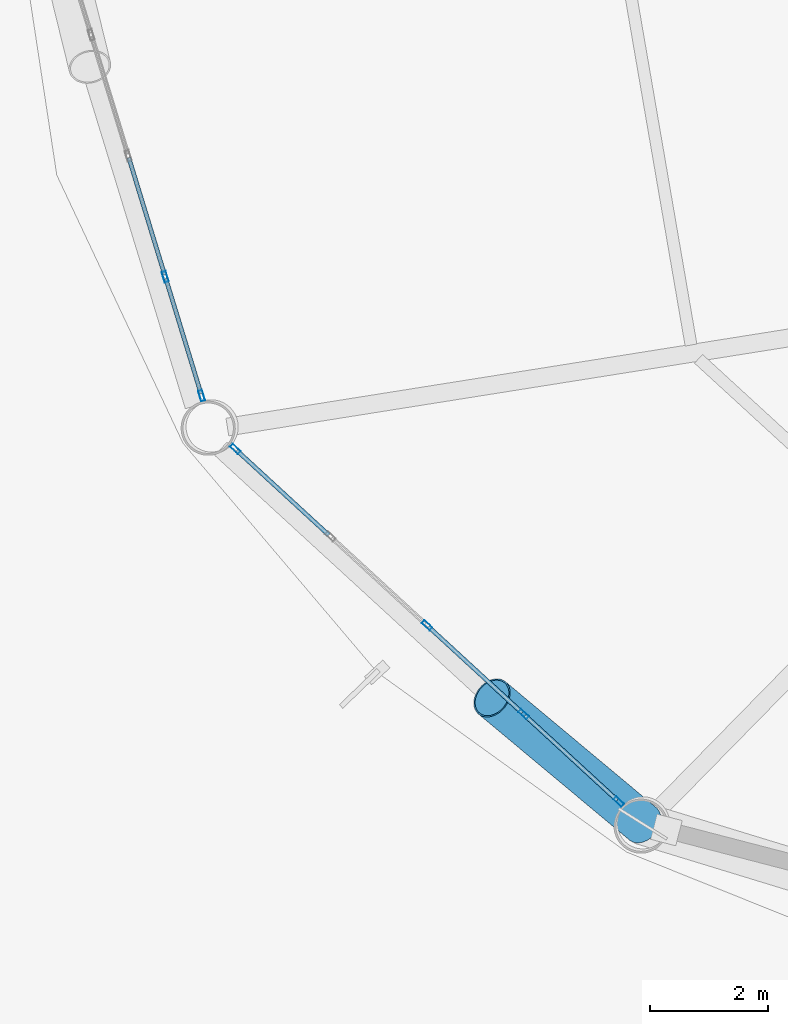
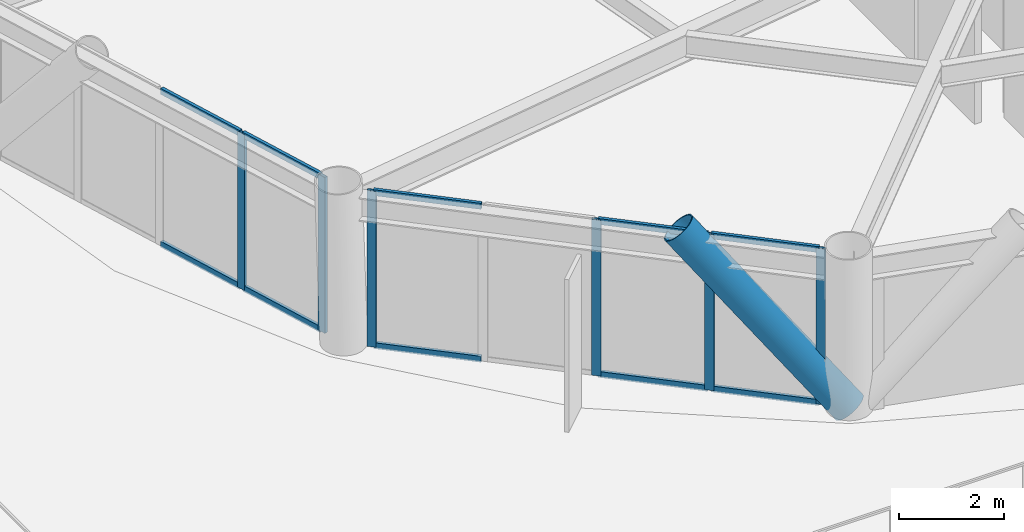
# One storey, part 2 of 24: 17 members, 2 elements without a shape of their own.
"""IFC4 building model written with IfcOpenShell, lengths in metres."""

from ifc_helpers import new_model, si_unit, direction, frame, origin, origin_2d, place, context, subcontext, project, spatial, hollow_rectangle, hollow_circle, extrude, material, layer, layer_set, material_profile, profile_set, type_object, element, aggregate, save


model = new_model("IFC4")

# Units and contexts
model_context = context("Model", 3, precision=1e-05, world=origin(), true_north=direction((0.0, 1.0)))
body_context = subcontext(model_context, "Body", "Model", "MODEL_VIEW")
ifc_project = project(units=[si_unit("LENGTHUNIT", "METRE"), si_unit("AREAUNIT", "SQUARE_METRE"), si_unit("VOLUMEUNIT", "CUBIC_METRE"), si_unit("PLANEANGLEUNIT", "RADIAN"), si_unit("MASSUNIT", "GRAM", prefix="KILO")], contexts=[model_context])

# Site, building, storey
site_placement = place(None, origin())
site = spatial("IfcSite", under=ifc_project, at=site_placement, CompositionType="ELEMENT")
building_placement = place(site_placement, origin())
building = spatial("IfcBuilding", under=site, at=building_placement, Name="Varnakorn Sky Granary", CompositionType="ELEMENT")
storey_placement = place(building_placement, frame((0.0, 0.0, 27.60009765625)))
storey = spatial("IfcBuildingStorey", under=building, at=storey_placement, Name="L06", CompositionType="ELEMENT", Elevation=27.60009765625)

# Curtain wall, members
ifc_material_1 = material(Name="Anodised Bronze Aluminium Alloy 6063-T6", Category="aluminium")
ifc_layer = layer(ifc_material_1, 0.18994140625, Name="Anodised Bronze Aluminium Alloy 6063-T6")
ifc_layer_set = layer_set([ifc_layer], Name="Anodised Bronze Aluminium Alloy 6063-T6")
curtain_wall_type = type_object("IfcCurtainWallType", Name="CW-FRM-1", PredefinedType="USERDEFINED", material=ifc_layer_set)
curtain_wall_1_placement = place(storey_placement, origin())
curtain_wall_1 = element("IfcCurtainWall", 1, at=curtain_wall_1_placement, inside=storey, type_object=curtain_wall_type, Name="Unitised Curtain Wall CW3 CW-L06-B07", ObjectType="CURTAIN WALL", PredefinedType="USERDEFINED")
ifc_material_profile_1 = material_profile(ifc_material_1, hollow_rectangle(XDim=0.070068359375, YDim=0.18505859375, WallThickness=0.00390625, at=origin_2d()), Name="ALU MULL 70x185")
ifc_profile_set_1 = profile_set([ifc_material_profile_1], Name="Anodised Bronze Aluminium Alloy 6063-T6")
member_type_1 = type_object("IfcMemberType", Name="CW-FRM-1-MULL", PredefinedType="MULLION", material=ifc_profile_set_1)
member_1_placement = place(storey_placement, frame((-18.908447265625, -8.629638671875, 0.0), z_axis=(0.0, 0.0, 1.0), x_axis=(-0.956203967275, -0.292701166664, 0.0)))
member_1 = element("IfcMember", 2, at=member_1_placement, type_object=member_type_1, Name="CW3 mullion 1", PredefinedType="MULLION", context=body_context, shape_type="SweptSolid", body=[
    extrude(hollow_rectangle(XDim=0.070068359375, YDim=0.18505859375, WallThickness=0.00390625, at=origin_2d()), origin(), (0.0, 0.0, 1.0), 3.639892578125),
])
member_2_placement = place(storey_placement, frame((-19.5234375, -6.620849609375, 0.0), z_axis=(0.0, 0.0, 1.0), x_axis=(-0.956203967275, -0.292701166664, 0.0)))
member_2 = element("IfcMember", 3, at=member_2_placement, type_object=member_type_1, Name="CW3 mullion 2", PredefinedType="MULLION", context=body_context, shape_type="SweptSolid", body=[
    extrude(hollow_rectangle(XDim=0.070068359375, YDim=0.18505859375, WallThickness=0.00390625, at=origin_2d()), origin(), (0.0, 0.0, 1.0), 3.639892578125),
])

curtain_wall_2_placement = place(storey_placement, origin())
curtain_wall_2 = element("IfcCurtainWall", 4, at=curtain_wall_2_placement, inside=storey, type_object=curtain_wall_type, Name="Unitised Curtain Wall CW3 CW-L06-B08", ObjectType="CURTAIN WALL", PredefinedType="USERDEFINED")
member_3_placement = place(storey_placement, frame((-11.86376953125, -15.487548828125, 0.0), z_axis=(0.0, 0.0, 1.0), x_axis=(-0.676914362354, -0.7360617814, 0.0)))
member_3 = element("IfcMember", 5, at=member_3_placement, type_object=member_type_1, Name="CW3 mullion 1", PredefinedType="MULLION", context=body_context, shape_type="SweptSolid", body=[
    extrude(hollow_rectangle(XDim=0.070068359375, YDim=0.18505859375, WallThickness=0.00390625, at=origin_2d()), origin(), (0.0, 0.0, 1.0), 3.639892578125),
])
member_4_placement = place(storey_placement, frame((-13.47021484375, -14.01025390625, 0.0), z_axis=(0.0, 0.0, 1.0), x_axis=(-0.676914362354, -0.7360617814, 0.0)))
member_4 = element("IfcMember", 6, at=member_4_placement, type_object=member_type_1, Name="CW3 mullion 2", PredefinedType="MULLION", context=body_context, shape_type="SweptSolid", body=[
    extrude(hollow_rectangle(XDim=0.070068359375, YDim=0.18505859375, WallThickness=0.00390625, at=origin_2d()), origin(), (0.0, 0.0, 1.0), 3.639892578125),
])
member_5_placement = place(storey_placement, frame((-15.102294921875, -12.509521484375, 0.0), z_axis=(0.0, 0.0, 1.0), x_axis=(-0.676914362354, -0.7360617814, 0.0)))
member_5 = element("IfcMember", 7, at=member_5_placement, type_object=member_type_1, Name="CW3 mullion 3", PredefinedType="MULLION", context=body_context, shape_type="SweptSolid", body=[
    extrude(hollow_rectangle(XDim=0.070068359375, YDim=0.18505859375, WallThickness=0.00390625, at=origin_2d()), origin(), (0.0, 0.0, 1.0), 3.639892578125),
])
member_6_placement = place(storey_placement, frame((-18.340576171875, -9.53125, 0.0), z_axis=(0.0, 0.0, 1.0), x_axis=(-0.676914362354, -0.7360617814, 0.0)))
member_6 = element("IfcMember", 8, at=member_6_placement, type_object=member_type_1, Name="CW3 mullion 5", PredefinedType="MULLION", context=body_context, shape_type="SweptSolid", body=[
    extrude(hollow_rectangle(XDim=0.070068359375, YDim=0.18505859375, WallThickness=0.00390625, at=origin_2d()), origin(), (0.0, 0.0, 1.0), 3.639892578125),
])

# Member
ifc_material_profile_2 = material_profile(ifc_material_1, hollow_rectangle(XDim=0.070068359375, YDim=0.139892578125, WallThickness=0.00341796875, at=origin_2d()), Name="ALU TRAN 70x140")
ifc_profile_set_2 = profile_set([ifc_material_profile_2], Name="Anodised Bronze Aluminium Alloy 6063-T6")
member_type_2 = type_object("IfcMemberType", Name="CW-FRM-1-TRAN", PredefinedType="USERDEFINED", material=ifc_profile_set_2)
member_7_placement = place(storey_placement, frame((-18.918701171875, -8.59619140625, 0.034912109375), z_axis=(-0.292725487943, 0.956196522012, 0.0), x_axis=(-0.956196522012, -0.292725487943, 0.0)))
member_7 = element("IfcMember", 9, at=member_7_placement, type_object=member_type_2, Name="CW3 transom 1.1", ObjectType="TRANSOM", PredefinedType="USERDEFINED", context=body_context, shape_type="SweptSolid", body=[
    extrude(hollow_rectangle(XDim=0.070068359375, YDim=0.139892578125, WallThickness=0.00341796875, at=origin_2d()), origin(), (0.0, 0.0, 1.0), 2.03076171875),
])

member_8_placement = place(storey_placement, frame((-18.918701171875, -8.59619140625, 3.60498046875), z_axis=(-0.292725487943, 0.956196522012, 0.0), x_axis=(-0.956196522012, -0.292725487943, 0.0)))
member_8 = element("IfcMember", 10, at=member_8_placement, type_object=member_type_2, Name="CW3 transom 1.2", ObjectType="TRANSOM", PredefinedType="USERDEFINED", context=body_context, shape_type="SweptSolid", body=[
    extrude(hollow_rectangle(XDim=0.070068359375, YDim=0.139892578125, WallThickness=0.00341796875, at=origin_2d()), origin(), (0.0, 0.0, 1.0), 2.03076171875),
])

member_9_placement = place(storey_placement, frame((-19.53369140625, -6.58740234375, 0.034912109375), z_axis=(-0.292656928242, 0.956217507867, 0.0), x_axis=(-0.956217507867, -0.292656928242, 0.0)))
member_9 = element("IfcMember", 11, at=member_9_placement, type_object=member_type_2, Name="CW3 transom 2.1", ObjectType="TRANSOM", PredefinedType="USERDEFINED", context=body_context, shape_type="SweptSolid", body=[
    extrude(hollow_rectangle(XDim=0.070068359375, YDim=0.139892578125, WallThickness=0.00341796875, at=origin_2d()), origin(), (0.0, 0.0, 1.0), 2.0654296875),
])

member_10_placement = place(storey_placement, frame((-19.53369140625, -6.58740234375, 3.60498046875), z_axis=(-0.292656928242, 0.956217507867, 0.0), x_axis=(-0.956217507867, -0.292656928242, 0.0)))
member_10 = element("IfcMember", 12, at=member_10_placement, type_object=member_type_2, Name="CW3 transom 2.2", ObjectType="TRANSOM", PredefinedType="USERDEFINED", context=body_context, shape_type="SweptSolid", body=[
    extrude(hollow_rectangle(XDim=0.070068359375, YDim=0.139892578125, WallThickness=0.00341796875, at=origin_2d()), origin(), (0.0, 0.0, 1.0), 2.0654296875),
])

aggregate(curtain_wall_1, [member_1, member_2, member_7, member_8, member_9, member_10])

member_11_placement = place(storey_placement, frame((-11.889404296875, -15.4638671875, 0.034912109375), z_axis=(-0.736073807105, 0.676901285635, 0.0), x_axis=(-0.676901285635, -0.736073807105, 0.0)))
member_11 = element("IfcMember", 13, at=member_11_placement, type_object=member_type_2, Name="CW3 transom 1.1", ObjectType="TRANSOM", PredefinedType="USERDEFINED", context=body_context, shape_type="SweptSolid", body=[
    extrude(hollow_rectangle(XDim=0.070068359375, YDim=0.139892578125, WallThickness=0.00341796875, at=origin_2d()), origin(), (0.0, 0.0, 1.0), 2.112548828125),
])

member_12_placement = place(storey_placement, frame((-11.889404296875, -15.4638671875, 3.60498046875), z_axis=(-0.736073807105, 0.676901285635, 0.0), x_axis=(-0.676901285635, -0.736073807105, 0.0)))
member_12 = element("IfcMember", 14, at=member_12_placement, type_object=member_type_2, Name="CW3 transom 1.2", ObjectType="TRANSOM", PredefinedType="USERDEFINED", context=body_context, shape_type="SweptSolid", body=[
    extrude(hollow_rectangle(XDim=0.070068359375, YDim=0.139892578125, WallThickness=0.00341796875, at=origin_2d()), origin(), (0.0, 0.0, 1.0), 2.112548828125),
])

member_13_placement = place(storey_placement, frame((-13.495849609375, -13.986572265625, 0.034912109375), z_axis=(-0.736105481164, 0.676866841114, 0.0), x_axis=(-0.676866841114, -0.736105481164, 0.0)))
member_13 = element("IfcMember", 15, at=member_13_placement, type_object=member_type_2, Name="CW3 transom 2.1", ObjectType="TRANSOM", PredefinedType="USERDEFINED", context=body_context, shape_type="SweptSolid", body=[
    extrude(hollow_rectangle(XDim=0.070068359375, YDim=0.139892578125, WallThickness=0.00341796875, at=origin_2d()), origin(), (0.0, 0.0, 1.0), 2.147216796875),
])

member_14_placement = place(storey_placement, frame((-13.495849609375, -13.986572265625, 3.60498046875), z_axis=(-0.736105481164, 0.676866841114, 0.0), x_axis=(-0.676866841114, -0.736105481164, 0.0)))
member_14 = element("IfcMember", 16, at=member_14_placement, type_object=member_type_2, Name="CW3 transom 2.2", ObjectType="TRANSOM", PredefinedType="USERDEFINED", context=body_context, shape_type="SweptSolid", body=[
    extrude(hollow_rectangle(XDim=0.070068359375, YDim=0.139892578125, WallThickness=0.00341796875, at=origin_2d()), origin(), (0.0, 0.0, 1.0), 2.147216796875),
])

member_15_placement = place(storey_placement, frame((-16.760009765625, -10.98486328125, 0.034912109375), z_axis=(-0.736073807105, 0.676901285635, 0.0), x_axis=(-0.676901285635, -0.736073807105, 0.0)))
member_15 = element("IfcMember", 17, at=member_15_placement, type_object=member_type_2, Name="CW3 transom 4.1", ObjectType="TRANSOM", PredefinedType="USERDEFINED", context=body_context, shape_type="SweptSolid", body=[
    extrude(hollow_rectangle(XDim=0.070068359375, YDim=0.139892578125, WallThickness=0.00341796875, at=origin_2d()), origin(), (0.0, 0.0, 1.0), 2.112548828125),
])

member_16_placement = place(storey_placement, frame((-16.760009765625, -10.98486328125, 3.60498046875), z_axis=(-0.736073807105, 0.676901285635, 0.0), x_axis=(-0.676901285635, -0.736073807105, 0.0)))
member_16 = element("IfcMember", 18, at=member_16_placement, type_object=member_type_2, Name="CW3 transom 4.2", ObjectType="TRANSOM", PredefinedType="USERDEFINED", context=body_context, shape_type="SweptSolid", body=[
    extrude(hollow_rectangle(XDim=0.070068359375, YDim=0.139892578125, WallThickness=0.00341796875, at=origin_2d()), origin(), (0.0, 0.0, 1.0), 2.112548828125),
])

aggregate(curtain_wall_2, [member_3, member_4, member_5, member_6, member_11, member_12, member_13, member_14, member_15, member_16])

ifc_material_2 = material(Name="Steel S460M", Category="steel")
ifc_material_profile_3 = material_profile(ifc_material_2, hollow_circle(Radius=0.35546875, WallThickness=0.02490234375, at=origin_2d()), Name="CHS 711x25")
ifc_profile_set_3 = profile_set([ifc_material_profile_3], Name="Steel S460M")
member_type_3 = type_object("IfcMemberType", Name="MB-DIAG-T0", PredefinedType="BRACE", material=ifc_profile_set_3)
member_17_placement = place(storey_placement, frame((-11.45751953125, -15.861328125, 0.0), z_axis=(-0.505621896802, 0.422102912219, 0.752446429303), x_axis=(-0.640857358835, -0.767659980478, 0.0)))
element("IfcMember", 19, at=member_17_placement, inside=storey, type_object=member_type_3, Name="Perimeter CHS Diagrid Brace DG08 L06", PredefinedType="BRACE", context=body_context, shape_type="SweptSolid", body=[
    extrude(hollow_circle(Radius=0.35546875, WallThickness=0.02490234375, at=origin_2d()), origin(), (0.0, 0.0, 1.0), 5.03662109375),
])

save(model, "model.ifc")
